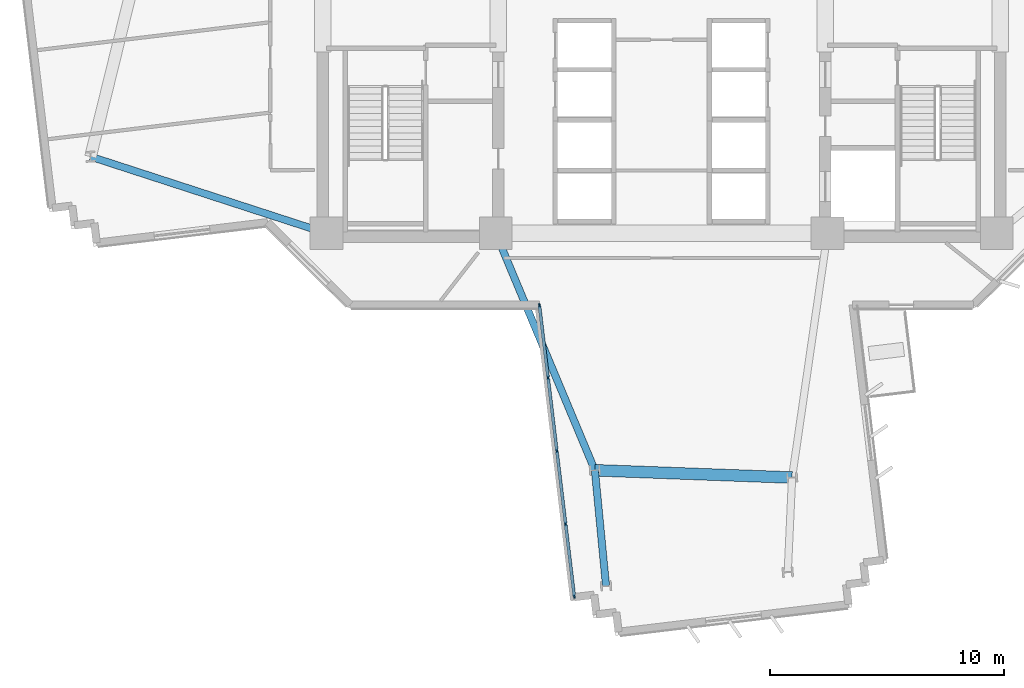
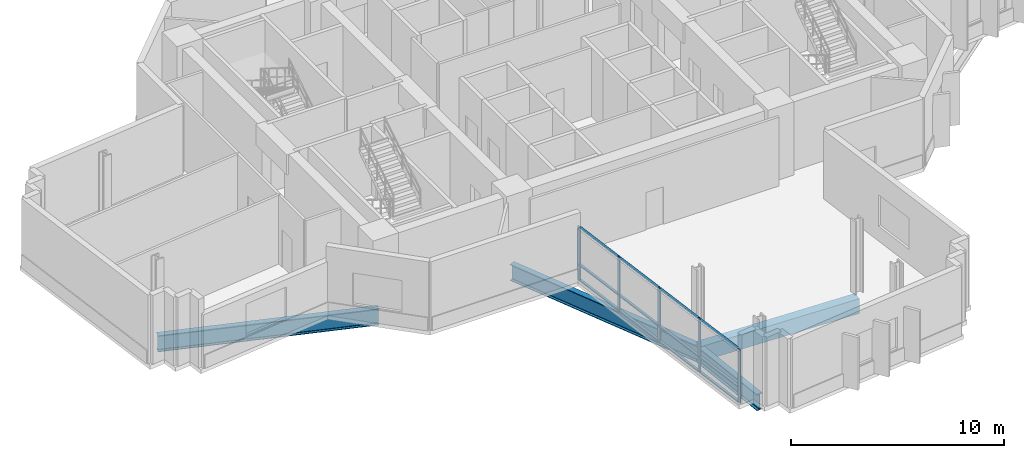
# One storey, part 2 of 15: 17 members, 4 beams, 1 element without a shape of its own.
"""IFC4 building model written with IfcOpenShell, lengths in metres."""

from ifc_helpers import new_model, si_unit, direction, frame, origin, origin_2d, place, context, subcontext, project, spatial, rectangle, i_section, extrude, source, transform, mapped, material, layer, layer_set, material_profile, profile_set, type_object, element, aggregate, save


model = new_model("IFC4")

# Units and contexts
model_context = context("Model", 3, precision=1e-05, world=origin(), true_north=direction((0.0, 1.0)))
body_context = subcontext(model_context, "Body", "Model", "MODEL_VIEW")
ifc_project = project(units=[si_unit("LENGTHUNIT", "METRE"), si_unit("AREAUNIT", "SQUARE_METRE"), si_unit("VOLUMEUNIT", "CUBIC_METRE"), si_unit("PLANEANGLEUNIT", "RADIAN"), si_unit("MASSUNIT", "GRAM", prefix="KILO")], contexts=[model_context])

# Site, building, storey
site_placement = place(None, origin())
site = spatial("IfcSite", under=ifc_project, at=site_placement, CompositionType="ELEMENT")
building_placement = place(site_placement, origin())
building = spatial("IfcBuilding", under=site, at=building_placement, Name="Zahravan Cultural Tower", CompositionType="ELEMENT")
storey_placement = place(building_placement, frame((0.0, 0.0, 113.10009765625)))
storey = spatial("IfcBuildingStorey", under=building, at=storey_placement, Name="L25", CompositionType="ELEMENT", Elevation=113.10009765625)

# Beams
ifc_material_1 = material(Name="Steel ASTM A992 Grade 50", Category="steel")
ifc_material_profile_1 = material_profile(ifc_material_1, i_section(OverallWidth=0.30908203125, OverallDepth=0.931884765625, WebThickness=0.02099609375, FlangeThickness=0.034423828125, FilletRadius=0.02392578125, at=origin_2d()), Name="W36X210")
ifc_profile_set_1 = profile_set([ifc_material_profile_1], Name="Steel ASTM A992 Grade 50")
beam_type_1 = type_object("IfcBeamType", Name="BM-G-W36X210", PredefinedType="BEAM", material=ifc_profile_set_1)
shared_shape_1 = source(origin(), body_context, "Body", "SweptSolid", [
    extrude(i_section(OverallWidth=0.30908203125, OverallDepth=0.931884765625, WebThickness=0.02099609375, FlangeThickness=0.034423828125, FilletRadius=0.02392578125, at=origin_2d()), origin(), (0.0, 0.0, 1.0), 10.615966796875),
])
beam_1_placement = place(storey_placement, frame((21.64990234375, 17.800048828125, -0.716064453125), z_axis=(-0.951063640083, 0.30899506875, 0.0), x_axis=(-0.30899506875, -0.951063640083, 0.0)))
element("IfcBeam", 1, at=beam_1_placement, inside=storey, type_object=beam_type_1, Name="L25 Beam BG-L25-07", PredefinedType="BEAM", context=body_context, shape_type="MappedRepresentation", body=[
    mapped(shared_shape_1, transform((0.0, 0.0, 0.0), x_axis=(1.0, 0.0, 0.0), y_axis=(0.0, 1.0, 0.0), z_axis=(0.0, 0.0, 1.0), scale=1.0)),
])
shared_shape_2 = source(origin(), body_context, "Body", "SweptSolid", [
    extrude(i_section(OverallWidth=0.30908203125, OverallDepth=0.931884765625, WebThickness=0.02099609375, FlangeThickness=0.034423828125, FilletRadius=0.02392578125, at=origin_2d()), origin(), (0.0, 0.0, 1.0), 10.997802734375),
])
beam_2_placement = place(storey_placement, frame((28.89990234375, 17.800048828125, -0.716064453125), z_axis=(0.385775211449, -0.922592806297, 0.0), x_axis=(0.922592806297, 0.385775211449, 0.0)))
element("IfcBeam", 2, at=beam_2_placement, inside=storey, type_object=beam_type_1, Name="L25 Beam BG-L25-08", PredefinedType="BEAM", context=body_context, shape_type="MappedRepresentation", body=[
    mapped(shared_shape_2, transform((0.0, 0.0, 0.0), x_axis=(1.0, 0.0, 0.0), y_axis=(0.0, 1.0, 0.0), z_axis=(0.0, 0.0, 1.0), scale=1.0)),
])
shared_shape_3 = source(origin(), body_context, "Body", "SweptSolid", [
    extrude(i_section(OverallWidth=0.30908203125, OverallDepth=0.931884765625, WebThickness=0.02099609375, FlangeThickness=0.034423828125, FilletRadius=0.02392578125, at=origin_2d()), origin(), (0.0, 0.0, 1.0), 4.973876953125),
])
beam_3_placement = place(storey_placement, frame((33.142578125, 7.653564453125, -0.716064453125), z_axis=(0.096154779131, -0.995366394073, 0.0), x_axis=(0.995366394073, 0.096154779131, 0.0)))
element("IfcBeam", 3, at=beam_3_placement, inside=storey, type_object=beam_type_1, Name="L25 Beam BG-L25-17", PredefinedType="BEAM", context=body_context, shape_type="MappedRepresentation", body=[
    mapped(shared_shape_3, transform((0.0, 0.0, 0.0), x_axis=(1.0, 0.0, 0.0), y_axis=(0.0, 1.0, 0.0), z_axis=(0.0, 0.0, 1.0), scale=1.0)),
])
ifc_material_2 = material(Name="Concrete C50/60", Category="concrete")
ifc_material_profile_2 = material_profile(ifc_material_2, rectangle(XDim=0.5, YDim=0.85009765625, at=origin_2d()), Name="RC500X850")
ifc_profile_set_2 = profile_set([ifc_material_profile_2], Name="Concrete C50/60")
beam_type_2 = type_object("IfcBeamType", Name="BM-SP-RC500X850", PredefinedType="SPANDREL", material=ifc_profile_set_2)
shared_shape_4 = source(origin(), body_context, "Body", "SweptSolid", [
    extrude(rectangle(XDim=0.5, YDim=0.85009765625, at=origin_2d()), origin(), (0.0, 0.0, 1.0), 8.4482421875),
])
beam_4_placement = place(storey_placement, frame((33.142578125, 7.653564453125, -0.675048828125), z_axis=(0.999318826256, -0.036903705643, 0.0), x_axis=(0.036903705643, 0.999318826256, 0.0)))
element("IfcBeam", 4, at=beam_4_placement, inside=storey, type_object=beam_type_2, Name="L25 Beam SP-L25-19", PredefinedType="SPANDREL", context=body_context, shape_type="MappedRepresentation", body=[
    mapped(shared_shape_4, transform((0.0, 0.0, 0.0), x_axis=(1.0, 0.0, 0.0), y_axis=(0.0, 1.0, 0.0), z_axis=(0.0, 0.0, 1.0), scale=1.0)),
])

# Curtain wall, members
ifc_material_3 = material(Name="Anodised bronze-aluminium mullion", Category="aluminium")
ifc_layer = layer(ifc_material_3, 0.1650390625)
ifc_layer_set = layer_set([ifc_layer], Name="Anodised bronze-aluminium mullion")
curtain_wall_type = type_object("IfcCurtainWallType", Name="CW-SYS-4", PredefinedType="USERDEFINED", material=ifc_layer_set)
curtain_wall_placement = place(storey_placement, origin())
curtain_wall = element("IfcCurtainWall", 5, at=curtain_wall_placement, inside=storey, type_object=curtain_wall_type, Name="L25 Recessed Curtain Wall CW-4.1", ObjectType="RECESSED GLAZING", PredefinedType="USERDEFINED")
ifc_material_profile_3 = material_profile(ifc_material_3, rectangle(XDim=0.06494140625, YDim=0.1650390625, at=origin_2d()), Name="AL-M65X165")
ifc_profile_set_3 = profile_set([ifc_material_profile_3], Name="Anodised bronze-aluminium mullion")
member_type_1 = type_object("IfcMemberType", Name="CWM-CW-4", PredefinedType="MULLION", material=ifc_profile_set_3)
shared_shape_5 = source(origin(), body_context, "Body", "SweptSolid", [
    extrude(rectangle(XDim=0.06494140625, YDim=0.1650390625, at=origin_2d()), origin(), (0.0, 0.0, 1.0), 3.06982421875),
])
member_1_placement = place(storey_placement, frame((32.260986328125, 2.2509765625, 0.0), z_axis=(0.0, 0.0, 1.0), x_axis=(-0.992882878226, -0.11909487867, 0.0)))
member_1 = element("IfcMember", 6, at=member_1_placement, type_object=member_type_1, Name="CW-4 mullion 1", PredefinedType="MULLION", context=body_context, shape_type="MappedRepresentation", body=[
    mapped(shared_shape_5, transform((0.0, 0.0, 0.0), x_axis=(1.0, 0.0, 0.0), y_axis=(0.0, 1.0, 0.0), z_axis=(0.0, 0.0, 1.0), scale=1.0)),
])
member_2_placement = place(storey_placement, frame((31.889404296875, 5.34912109375, 0.0), z_axis=(0.0, 0.0, 1.0), x_axis=(-0.992882878226, -0.11909487867, 0.0)))
member_2 = element("IfcMember", 7, at=member_2_placement, type_object=member_type_1, Name="CW-4 mullion 2", PredefinedType="MULLION", context=body_context, shape_type="MappedRepresentation", body=[
    mapped(shared_shape_5, transform((0.0, 0.0, 0.0), x_axis=(1.0, 0.0, 0.0), y_axis=(0.0, 1.0, 0.0), z_axis=(0.0, 0.0, 1.0), scale=1.0)),
])
member_3_placement = place(storey_placement, frame((31.513916015625, 8.4794921875, 0.0), z_axis=(0.0, 0.0, 1.0), x_axis=(-0.992882878226, -0.11909487867, 0.0)))
member_3 = element("IfcMember", 8, at=member_3_placement, type_object=member_type_1, Name="CW-4 mullion 3", PredefinedType="MULLION", context=body_context, shape_type="MappedRepresentation", body=[
    mapped(shared_shape_5, transform((0.0, 0.0, 0.0), x_axis=(1.0, 0.0, 0.0), y_axis=(0.0, 1.0, 0.0), z_axis=(0.0, 0.0, 1.0), scale=1.0)),
])
member_4_placement = place(storey_placement, frame((31.138427734375, 11.609619140625, 0.0), z_axis=(0.0, 0.0, 1.0), x_axis=(-0.992882878226, -0.11909487867, 0.0)))
member_4 = element("IfcMember", 9, at=member_4_placement, type_object=member_type_1, Name="CW-4 mullion 4", PredefinedType="MULLION", context=body_context, shape_type="MappedRepresentation", body=[
    mapped(shared_shape_5, transform((0.0, 0.0, 0.0), x_axis=(1.0, 0.0, 0.0), y_axis=(0.0, 1.0, 0.0), z_axis=(0.0, 0.0, 1.0), scale=1.0)),
])
member_5_placement = place(storey_placement, frame((30.766845703125, 14.707763671875, 0.0), z_axis=(0.0, 0.0, 1.0), x_axis=(-0.992882878226, -0.11909487867, 0.0)))
member_5 = element("IfcMember", 10, at=member_5_placement, type_object=member_type_1, Name="CW-4 mullion 5", PredefinedType="MULLION", context=body_context, shape_type="MappedRepresentation", body=[
    mapped(shared_shape_5, transform((0.0, 0.0, 0.0), x_axis=(1.0, 0.0, 0.0), y_axis=(0.0, 1.0, 0.0), z_axis=(0.0, 0.0, 1.0), scale=1.0)),
])
ifc_material_profile_4 = material_profile(ifc_material_3, rectangle(XDim=0.1298828125, YDim=0.06494140625, at=origin_2d()), Name="AL-T65X130")
ifc_profile_set_4 = profile_set([ifc_material_profile_4], Name="Anodised bronze-aluminium mullion")
member_type_2 = type_object("IfcMemberType", Name="CWT-CW-4", PredefinedType="USERDEFINED", material=ifc_profile_set_4)
shared_shape_6 = source(origin(), body_context, "Body", "SweptSolid", [
    extrude(rectangle(XDim=0.1298828125, YDim=0.06494140625, at=origin_2d()), origin(), (0.0, 0.0, 1.0), 3.05517578125),
])
member_6_placement = place(storey_placement, frame((32.257080078125, 2.283447265625, 0.032470703125), z_axis=(-0.119066444252, 0.992886288481, 0.0), x_axis=(-0.992886288481, -0.119066444252, 0.0)))
member_6 = element("IfcMember", 11, at=member_6_placement, type_object=member_type_2, Name="CW-4 transom 1.1", ObjectType="TRANSOM", PredefinedType="USERDEFINED", context=body_context, shape_type="MappedRepresentation", body=[
    mapped(shared_shape_6, transform((0.0, 0.0, 0.0), x_axis=(1.0, 0.0, 0.0), y_axis=(0.0, 1.0, 0.0), z_axis=(0.0, 0.0, 1.0), scale=1.0)),
])
member_7_placement = place(storey_placement, frame((32.257080078125, 2.283447265625, 0.89990234375), z_axis=(-0.119066444252, 0.992886288481, 0.0), x_axis=(-0.992886288481, -0.119066444252, 0.0)))
member_7 = element("IfcMember", 12, at=member_7_placement, type_object=member_type_2, Name="CW-4 transom 1.2", ObjectType="TRANSOM", PredefinedType="USERDEFINED", context=body_context, shape_type="MappedRepresentation", body=[
    mapped(shared_shape_6, transform((0.0, 0.0, 0.0), x_axis=(1.0, 0.0, 0.0), y_axis=(0.0, 1.0, 0.0), z_axis=(0.0, 0.0, 1.0), scale=1.0)),
])
member_8_placement = place(storey_placement, frame((32.257080078125, 2.283447265625, 3.037353515625), z_axis=(-0.119066444252, 0.992886288481, 0.0), x_axis=(-0.992886288481, -0.119066444252, 0.0)))
member_8 = element("IfcMember", 13, at=member_8_placement, type_object=member_type_2, Name="CW-4 transom 1.3", ObjectType="TRANSOM", PredefinedType="USERDEFINED", context=body_context, shape_type="MappedRepresentation", body=[
    mapped(shared_shape_6, transform((0.0, 0.0, 0.0), x_axis=(1.0, 0.0, 0.0), y_axis=(0.0, 1.0, 0.0), z_axis=(0.0, 0.0, 1.0), scale=1.0)),
])
member_9_placement = place(storey_placement, frame((31.134521484375, 11.64208984375, 0.032470703125), z_axis=(-0.119066444252, 0.992886288481, 0.0), x_axis=(-0.992886288481, -0.119066444252, 0.0)))
member_9 = element("IfcMember", 14, at=member_9_placement, type_object=member_type_2, Name="CW-4 transom 4.1", ObjectType="TRANSOM", PredefinedType="USERDEFINED", context=body_context, shape_type="MappedRepresentation", body=[
    mapped(shared_shape_6, transform((0.0, 0.0, 0.0), x_axis=(1.0, 0.0, 0.0), y_axis=(0.0, 1.0, 0.0), z_axis=(0.0, 0.0, 1.0), scale=1.0)),
])
member_10_placement = place(storey_placement, frame((31.134521484375, 11.64208984375, 0.89990234375), z_axis=(-0.119066444252, 0.992886288481, 0.0), x_axis=(-0.992886288481, -0.119066444252, 0.0)))
member_10 = element("IfcMember", 15, at=member_10_placement, type_object=member_type_2, Name="CW-4 transom 4.2", ObjectType="TRANSOM", PredefinedType="USERDEFINED", context=body_context, shape_type="MappedRepresentation", body=[
    mapped(shared_shape_6, transform((0.0, 0.0, 0.0), x_axis=(1.0, 0.0, 0.0), y_axis=(0.0, 1.0, 0.0), z_axis=(0.0, 0.0, 1.0), scale=1.0)),
])
member_11_placement = place(storey_placement, frame((31.134521484375, 11.64208984375, 3.037353515625), z_axis=(-0.119066444252, 0.992886288481, 0.0), x_axis=(-0.992886288481, -0.119066444252, 0.0)))
member_11 = element("IfcMember", 16, at=member_11_placement, type_object=member_type_2, Name="CW-4 transom 4.3", ObjectType="TRANSOM", PredefinedType="USERDEFINED", context=body_context, shape_type="MappedRepresentation", body=[
    mapped(shared_shape_6, transform((0.0, 0.0, 0.0), x_axis=(1.0, 0.0, 0.0), y_axis=(0.0, 1.0, 0.0), z_axis=(0.0, 0.0, 1.0), scale=1.0)),
])
shared_shape_7 = source(origin(), body_context, "Body", "SweptSolid", [
    extrude(rectangle(XDim=0.1298828125, YDim=0.06494140625, at=origin_2d()), origin(), (0.0, 0.0, 1.0), 3.087646484375),
])
member_12_placement = place(storey_placement, frame((31.885498046875, 5.38134765625, 0.032470703125), z_axis=(-0.119079744235, 0.992884693463, 0.0), x_axis=(-0.992884693463, -0.119079744235, 0.0)))
member_12 = element("IfcMember", 17, at=member_12_placement, type_object=member_type_2, Name="CW-4 transom 2.1", ObjectType="TRANSOM", PredefinedType="USERDEFINED", context=body_context, shape_type="MappedRepresentation", body=[
    mapped(shared_shape_7, transform((0.0, 0.0, 0.0), x_axis=(1.0, 0.0, 0.0), y_axis=(0.0, 1.0, 0.0), z_axis=(0.0, 0.0, 1.0), scale=1.0)),
])
member_13_placement = place(storey_placement, frame((31.885498046875, 5.38134765625, 0.89990234375), z_axis=(-0.119079744235, 0.992884693463, 0.0), x_axis=(-0.992884693463, -0.119079744235, 0.0)))
member_13 = element("IfcMember", 18, at=member_13_placement, type_object=member_type_2, Name="CW-4 transom 2.2", ObjectType="TRANSOM", PredefinedType="USERDEFINED", context=body_context, shape_type="MappedRepresentation", body=[
    mapped(shared_shape_7, transform((0.0, 0.0, 0.0), x_axis=(1.0, 0.0, 0.0), y_axis=(0.0, 1.0, 0.0), z_axis=(0.0, 0.0, 1.0), scale=1.0)),
])
member_14_placement = place(storey_placement, frame((31.885498046875, 5.38134765625, 3.037353515625), z_axis=(-0.119079744235, 0.992884693463, 0.0), x_axis=(-0.992884693463, -0.119079744235, 0.0)))
member_14 = element("IfcMember", 19, at=member_14_placement, type_object=member_type_2, Name="CW-4 transom 2.3", ObjectType="TRANSOM", PredefinedType="USERDEFINED", context=body_context, shape_type="MappedRepresentation", body=[
    mapped(shared_shape_7, transform((0.0, 0.0, 0.0), x_axis=(1.0, 0.0, 0.0), y_axis=(0.0, 1.0, 0.0), z_axis=(0.0, 0.0, 1.0), scale=1.0)),
])
member_15_placement = place(storey_placement, frame((31.510009765625, 8.51171875, 0.032470703125), z_axis=(-0.119079744235, 0.992884693463, 0.0), x_axis=(-0.992884693463, -0.119079744235, 0.0)))
member_15 = element("IfcMember", 20, at=member_15_placement, type_object=member_type_2, Name="CW-4 transom 3.1", ObjectType="TRANSOM", PredefinedType="USERDEFINED", context=body_context, shape_type="MappedRepresentation", body=[
    mapped(shared_shape_7, transform((0.0, 0.0, 0.0), x_axis=(1.0, 0.0, 0.0), y_axis=(0.0, 1.0, 0.0), z_axis=(0.0, 0.0, 1.0), scale=1.0)),
])
member_16_placement = place(storey_placement, frame((31.510009765625, 8.51171875, 0.89990234375), z_axis=(-0.119079744235, 0.992884693463, 0.0), x_axis=(-0.992884693463, -0.119079744235, 0.0)))
member_16 = element("IfcMember", 21, at=member_16_placement, type_object=member_type_2, Name="CW-4 transom 3.2", ObjectType="TRANSOM", PredefinedType="USERDEFINED", context=body_context, shape_type="MappedRepresentation", body=[
    mapped(shared_shape_7, transform((0.0, 0.0, 0.0), x_axis=(1.0, 0.0, 0.0), y_axis=(0.0, 1.0, 0.0), z_axis=(0.0, 0.0, 1.0), scale=1.0)),
])
member_17_placement = place(storey_placement, frame((31.510009765625, 8.51171875, 3.037353515625), z_axis=(-0.119079744235, 0.992884693463, 0.0), x_axis=(-0.992884693463, -0.119079744235, 0.0)))
member_17 = element("IfcMember", 22, at=member_17_placement, type_object=member_type_2, Name="CW-4 transom 3.3", ObjectType="TRANSOM", PredefinedType="USERDEFINED", context=body_context, shape_type="MappedRepresentation", body=[
    mapped(shared_shape_7, transform((0.0, 0.0, 0.0), x_axis=(1.0, 0.0, 0.0), y_axis=(0.0, 1.0, 0.0), z_axis=(0.0, 0.0, 1.0), scale=1.0)),
])
aggregate(curtain_wall, [member_1, member_2, member_3, member_4, member_5, member_6, member_7, member_8, member_12, member_13, member_14, member_15, member_16, member_17, member_9, member_10, member_11])

save(model, "model.ifc")
